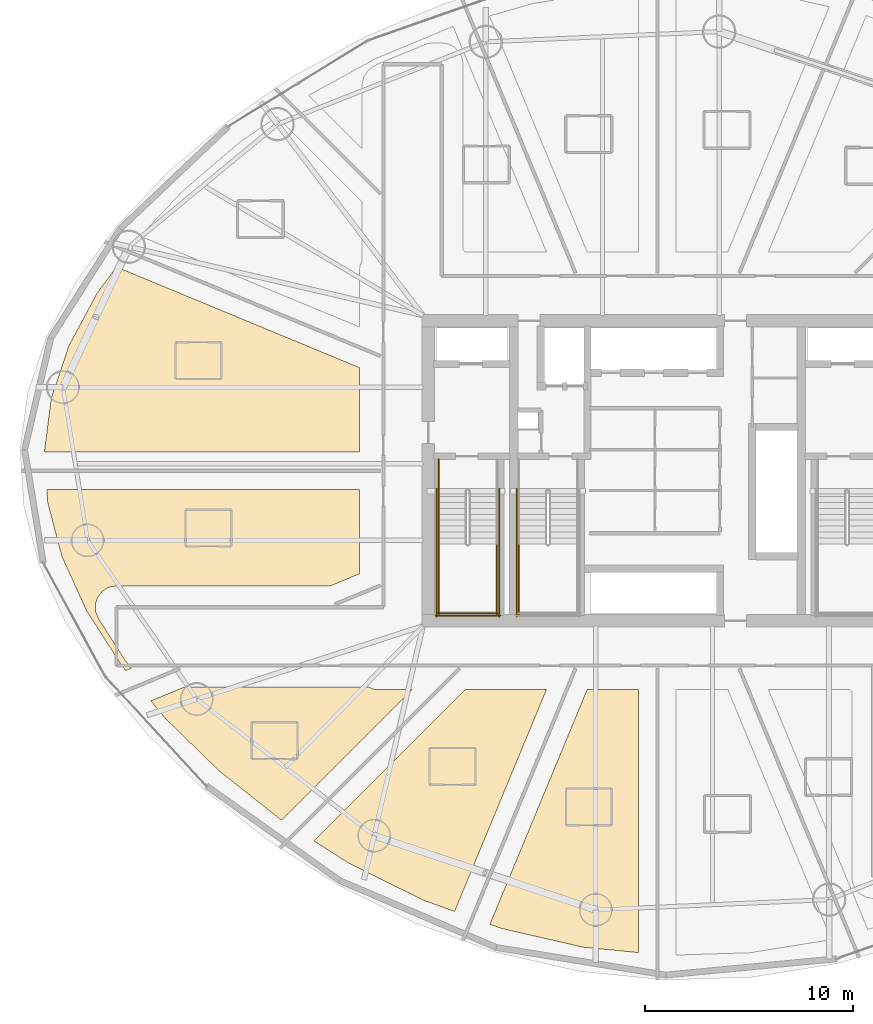
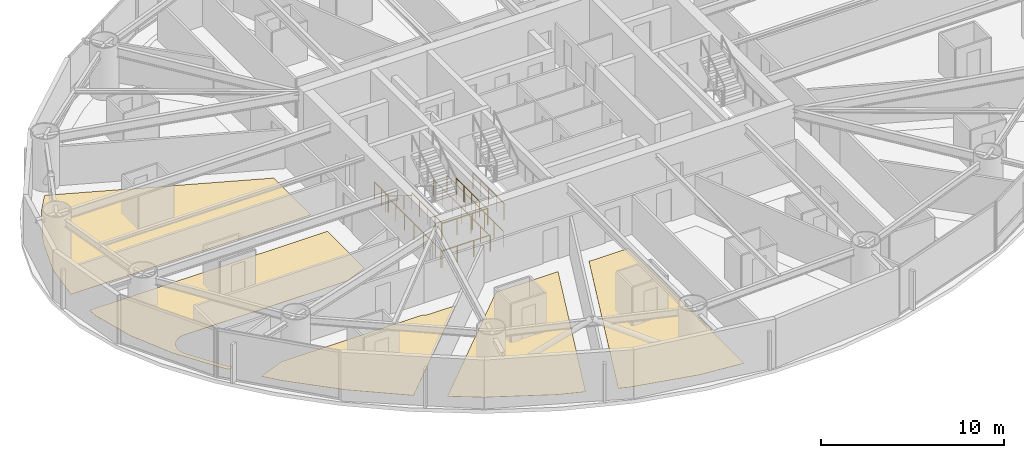
# One storey, part 23 of 27: 10 railings, 5 coverings.
"""IFC4 building model written with IfcOpenShell, lengths in metres."""

import ifcopenshell
import ifcopenshell.guid

model = None  # the IFC model being written
_history = None  # IfcOwnerHistory: only IFC2X3 demands one
_inside = {}  # id of a spatial element -> (the spatial element, [elements in it])
_under = {}  # id of a project, library or spatial element -> (it, [spatial elements below it])
_declared = {}  # id of a project -> (the project, [libraries it declares])
_typed = {}  # id of a type object -> (the type object, [elements of that type])
_made_of = {}  # id of a material, layer set ... -> (it, [elements and type objects made of it])


def new_model(schema):
    """Start an empty IFC model of exactly this schema.

    Asked for "IFC4X3", IfcOpenShell would pick the latest addendum, in which some entities
    have other attributes; the version numbers below select the first issue.
    IFC2X3 requires an IfcOwnerHistory on every rooted entity: one is made here for all.
    """
    global model, _history
    if schema == "IFC4X3":
        model = ifcopenshell.file(schema_version=(4, 3, 0, 0))
    else:
        model = ifcopenshell.file(schema=schema)
    _inside.clear()
    _under.clear()
    _declared.clear()
    _typed.clear()
    _made_of.clear()
    _history = None
    if model.schema == "IFC2X3":
        org = make("IfcOrganization", Name="unknown")
        user = make(
            "IfcPersonAndOrganization",
            ThePerson=make("IfcPerson", FamilyName="unknown"),
            TheOrganization=org,
        )
        app = make(
            "IfcApplication",
            ApplicationDeveloper=org,
            Version="unknown",
            ApplicationFullName="unknown",
            ApplicationIdentifier="unknown",
        )
        _history = make(
            "IfcOwnerHistory",
            OwningUser=user,
            OwningApplication=app,
            ChangeAction="ADDED",
            CreationDate=0,
        )
    return model


def make(cls, **values):
    """One entity of the class cls with the attributes given. An attribute that is None is left unset."""
    return model.create_entity(
        cls, **{name: value for name, value in values.items() if value is not None}
    )


def rooted(cls, **values):
    """An entity with a GlobalId (a new one), such as an element, a storey or a relation."""
    return make(cls, GlobalId=ifcopenshell.guid.new(), OwnerHistory=_history, **values)


def si_unit(unit_type, name, prefix=None):
    """IfcSIUnit, for example si_unit("LENGTHUNIT", "METRE", prefix="MILLI")."""
    return make("IfcSIUnit", UnitType=unit_type, Prefix=prefix, Name=name)


def assignment(units):
    """IfcUnitAssignment: the units of a project."""
    return None if units is None else make("IfcUnitAssignment", Units=units)


def point(xyz):
    """IfcCartesianPoint."""
    return None if xyz is None else make("IfcCartesianPoint", Coordinates=xyz)


def direction(xyz):
    """IfcDirection."""
    return None if xyz is None else make("IfcDirection", DirectionRatios=xyz)


def frame(location, z_axis=None, x_axis=None):
    """IfcAxis2Placement3D, a coordinate frame: its origin and axes. An axis left out is left unset."""
    return make(
        "IfcAxis2Placement3D",
        Location=point(location),
        Axis=direction(z_axis),
        RefDirection=direction(x_axis),
    )


def frame_2d(location, x_axis=None):
    """IfcAxis2Placement2D, a coordinate frame in the plane: its origin and x axis."""
    return make(
        "IfcAxis2Placement2D", Location=point(location), RefDirection=direction(x_axis)
    )


def origin():
    """The frame at (0, 0, 0) with its axes left unset."""
    return frame((0.0, 0.0, 0.0))


def origin_2d():
    """The frame at (0, 0) in the plane with its x axis left unset."""
    return frame_2d((0.0, 0.0))


def place(relative_to, where):
    """IfcLocalPlacement: puts the frame where relative to a parent placement (None: the world)."""
    return make(
        "IfcLocalPlacement", PlacementRelTo=relative_to, RelativePlacement=where
    )


def context(
    kind, dimensions, precision=None, world=None, true_north=None, identifier=None
):
    """IfcGeometricRepresentationContext, for example the 3D "Model" context."""
    return make(
        "IfcGeometricRepresentationContext",
        ContextIdentifier=identifier,
        ContextType=kind,
        CoordinateSpaceDimension=dimensions,
        Precision=precision,
        WorldCoordinateSystem=world,
        TrueNorth=true_north,
    )


def subcontext(parent, identifier, kind, view, scale=None):
    """IfcGeometricRepresentationSubContext, for example "Body" below "Model"."""
    return make(
        "IfcGeometricRepresentationSubContext",
        ContextIdentifier=identifier,
        ContextType=kind,
        ParentContext=parent,
        TargetScale=scale,
        TargetView=view,
    )


def project(units=None, contexts=None):
    """IfcProject with its units and contexts."""
    return rooted(
        "IfcProject",
        Name="project",
        RepresentationContexts=contexts,
        UnitsInContext=assignment(units),
    )


def spatial(cls, under=None, at=None, **own):
    """A site, building, storey or space (cls), placed at a placement, below another one or the project."""
    s = rooted(cls, ObjectPlacement=at, **own)
    if under is not None:
        _under.setdefault(under.id(), (under, []))[1].append(s)
    return s


def polyline(points):
    """IfcPolyline through the points."""
    return make("IfcPolyline", Points=[point(p) for p in points])


def profile(cls, at=None, kind="AREA", **sizes):
    """A parametric profile (cls). Its sizes go by their IFC names, for example OverallWidth=200.0."""
    return make(cls, ProfileType=kind, Position=at, **sizes)


def circle(**sizes):
    """IfcCircleProfileDef."""
    return profile("IfcCircleProfileDef", **sizes)


def outline(outer, holes=None, kind="AREA"):
    """IfcArbitraryClosedProfileDef: a profile drawn as a closed curve; with holes, ...WithVoids."""
    if holes is None:
        return make("IfcArbitraryClosedProfileDef", ProfileType=kind, OuterCurve=outer)
    return make(
        "IfcArbitraryProfileDefWithVoids",
        ProfileType=kind,
        OuterCurve=outer,
        InnerCurves=holes,
    )


def extrude(swept, where, along, depth):
    """IfcExtrudedAreaSolid: the profile swept, set in the frame where, extruded along a direction by depth."""
    return make(
        "IfcExtrudedAreaSolid",
        SweptArea=swept,
        Position=where,
        ExtrudedDirection=direction(along),
        Depth=depth,
    )


def shape(context_of_items, identifier, shape_type, items):
    """IfcShapeRepresentation: the items that make up one representation, for example the "Body"."""
    return make(
        "IfcShapeRepresentation",
        ContextOfItems=context_of_items,
        RepresentationIdentifier=identifier,
        RepresentationType=shape_type,
        Items=items,
    )


def material(Name=None, Category=None):
    """IfcMaterial."""
    return make("IfcMaterial", Name=Name, Category=Category)


def layer(
    of_material, thickness, ventilated=None, Name=None, Category=None, Priority=None
):
    """IfcMaterialLayer: one layer of a wall or slab, of a material (None: an air gap)."""
    return make(
        "IfcMaterialLayer",
        Material=of_material,
        LayerThickness=thickness,
        IsVentilated=ventilated,
        Name=Name,
        Category=Category,
        Priority=Priority,
    )


def layer_set(layers, Name=None):
    """IfcMaterialLayerSet."""
    return make("IfcMaterialLayerSet", MaterialLayers=layers, LayerSetName=Name)


def made_of(thing, what):
    """Note that an element or type object is made of a material, layer set ...; save() writes the relation."""
    if what is not None:
        _made_of.setdefault(what.id(), (what, []))[1].append(thing)
    return thing


def type_object(cls, material=None, **own):
    """A type object (cls), such as IfcWallType, which elements share."""
    return made_of(rooted(cls, **own), material)


def element(
    cls,
    number,
    at=None,
    inside=None,
    cuts=None,
    type_object=None,
    material=None,
    context=None,
    identifier="Body",
    shape_type=None,
    held_by="IfcProductDefinitionShape",
    body=None,
    shapes=None,
    **own,
):
    """One element of the class cls, such as IfcWall. Its Tag is "e" and its number.

    at: its placement. inside: the storey or other place that contains it. cuts: it is an
    opening in that element (IfcRelVoidsElement). A single representation is given by context,
    identifier, shape_type and body (its items); several are given by shapes. held_by: the class
    of the entity that holds the representations. save() writes the other relations.
    """
    e = rooted(cls, Tag="e%d" % number, ObjectPlacement=at, **own)
    if body is not None:
        shapes = [shape(context, identifier, shape_type, body)]
    if shapes is not None:
        e.Representation = make(held_by, Representations=shapes)
    if inside is not None:
        _inside.setdefault(inside.id(), (inside, []))[1].append(e)
    if cuts is not None:
        rooted(
            "IfcRelVoidsElement", RelatingBuildingElement=cuts, RelatedOpeningElement=e
        )
    if type_object is not None:
        _typed.setdefault(type_object.id(), (type_object, []))[1].append(e)
    return made_of(e, material)


def aggregate(whole, parts):
    """IfcRelAggregates: a whole, such as a stair, and the parts it consists of."""
    return rooted("IfcRelAggregates", RelatingObject=whole, RelatedObjects=parts)


def save(model, path):
    """Write the relations noted so far, then the file.

    IfcRelAggregates (storeys below a building ...), IfcRelContainedInSpatialStructure (elements
    in a storey), IfcRelDefinesByType, IfcRelAssociatesMaterial and IfcRelDeclares: one each for
    every whole, place, type object, material and project.
    """
    for whole, parts in _under.values():
        aggregate(whole, parts)
    for where, things in _inside.values():
        rooted(
            "IfcRelContainedInSpatialStructure",
            RelatedElements=things,
            RelatingStructure=where,
        )
    for kind, things in _typed.values():
        rooted("IfcRelDefinesByType", RelatedObjects=things, RelatingType=kind)
    for what, things in _made_of.values():
        rooted("IfcRelAssociatesMaterial", RelatedObjects=things, RelatingMaterial=what)
    for by, libraries in _declared.values():
        rooted("IfcRelDeclares", RelatingContext=by, RelatedDefinitions=libraries)
    model.write(path)


model = new_model("IFC4")

# Units and contexts
model_context = context("Model", 3, precision=1e-05, world=origin(), true_north=direction((0.0, 1.0)))
body_context = subcontext(model_context, "Body", "Model", "MODEL_VIEW")
ifc_project = project(units=[si_unit("LENGTHUNIT", "METRE"), si_unit("AREAUNIT", "SQUARE_METRE"), si_unit("VOLUMEUNIT", "CUBIC_METRE"), si_unit("PLANEANGLEUNIT", "RADIAN"), si_unit("MASSUNIT", "GRAM", prefix="KILO")], contexts=[model_context])

# Site, building, storey
site_placement = place(None, origin())
site = spatial("IfcSite", under=ifc_project, at=site_placement, CompositionType="ELEMENT")
building_placement = place(site_placement, origin())
building = spatial("IfcBuilding", under=site, at=building_placement, Name="Bramvorn Convention Spire", CompositionType="ELEMENT")
storey_placement = place(building_placement, frame((0.0, 0.0, 44.89990234375)))
storey = spatial("IfcBuildingStorey", under=building, at=storey_placement, Name="L08", CompositionType="ELEMENT", Elevation=44.89990234375)

# Coverings
ifc_material_1 = material(Name="Solution-Dyed Wool Broadloom Hospitality Carpet", Category="textile")
ifc_layer = layer(ifc_material_1, 0.014892578125)
ifc_layer_set = layer_set([ifc_layer], Name="Solution-Dyed Wool Broadloom Hospitality Carpet - FLR-CARPET-15")
covering_type = type_object("IfcCoveringType", Name="FLR-CARPET-15", PredefinedType="FLOORING", material=ifc_layer_set)
covering_1_placement = place(storey_placement, origin())
element("IfcCovering", 1, at=covering_1_placement, inside=storey, type_object=covering_type, Name="Hotel Suite 0808 wool broadloom carpet", PredefinedType="FLOORING", context=body_context, shape_type="SweptSolid", body=[
    extrude(outline(polyline([(8.585693359375, 26.89990234375), (23.699951171875, 26.89990234375), (23.699951171875, 30.94921875), (12.043212890625, 35.777587890625), (11.1064453125, 34.505615234375), (9.75830078125, 31.990478515625), (8.916259765625, 29.481201171875), (8.585693359375, 26.89990234375)])), origin(), (0.0, 0.0, 1.0), 0.01513671875),
])
covering_2_placement = place(storey_placement, origin())
element("IfcCovering", 2, at=covering_2_placement, inside=storey, type_object=covering_type, Name="Hotel Suite 0809 wool broadloom carpet", PredefinedType="FLOORING", context=body_context, shape_type="SweptSolid", body=[
    extrude(outline(polyline([(12.273193359375, 16.67919921875), (12.49560546875, 16.409912109375), (12.766357421875, 16.52197265625), (12.466552734375, 16.89697265625), (11.186279296875, 18.90087890625), (11.051025390625, 19.22509765625), (11.0380859375, 19.607421875), (11.131103515625, 19.901123046875), (11.36181640625, 20.20654296875), (11.618896484375, 20.376220703125), (11.805908203125, 20.44140625), (12.0458984375, 20.469970703125), (22.297607421875, 20.469970703125), (23.699951171875, 21.05078125), (23.699951171875, 25.10009765625), (8.706298828125, 25.10009765625), (8.74951171875, 24.453857421875), (9.42333984375, 21.894287109375), (10.601806640625, 19.29541015625), (12.273193359375, 16.67919921875)])), origin(), (0.0, 0.0, 1.0), 0.01513671875),
])
covering_3_placement = place(storey_placement, origin())
element("IfcCovering", 3, at=covering_3_placement, inside=storey, type_object=covering_type, Name="Hotel Suite 0810 wool broadloom carpet", PredefinedType="FLOORING", context=body_context, shape_type="SweptSolid", body=[
    extrude(outline(polyline([(19.9599609375, 9.23291015625), (26.227294921875, 15.5), (24.51171875, 15.50439453125), (24.338623046875, 15.538818359375), (24.13623046875, 15.6298828125), (15.31640625, 15.6298828125), (13.694580078125, 14.958251953125), (14.412109375, 14.089599609375), (16.980712890625, 11.58837890625), (19.9599609375, 9.23291015625)])), origin(), (0.0, 0.0, 1.0), 0.01513671875),
])
covering_4_placement = place(storey_placement, origin())
element("IfcCovering", 4, at=covering_4_placement, inside=storey, type_object=covering_type, Name="Hotel Suite 0811 wool broadloom carpet", PredefinedType="FLOORING", context=body_context, shape_type="SweptSolid", body=[
    extrude(outline(polyline([(26.76708984375, 5.394287109375), (28.266357421875, 4.852783203125), (32.676513671875, 15.5), (28.772705078125, 15.5), (21.514404296875, 8.24169921875), (23.214111328125, 7.157958984375), (26.76708984375, 5.394287109375)])), origin(), (0.0, 0.0, 1.0), 0.01513671875),
])
covering_5_placement = place(storey_placement, origin())
element("IfcCovering", 5, at=covering_5_placement, inside=storey, type_object=covering_type, Name="Hotel Suite 0812 wool broadloom carpet", PredefinedType="FLOORING", context=body_context, shape_type="SweptSolid", body=[
    extrude(outline(polyline([(34.438720703125, 3.139404296875), (37.10009765625, 2.878173828125), (37.10009765625, 15.5), (34.625, 15.5), (29.9609375, 4.240478515625), (30.530029296875, 4.034912109375), (34.438720703125, 3.139404296875)])), origin(), (0.0, 0.0, 1.0), 0.01513671875),
])

# Railings
ifc_material_2 = material(Name="Painted Steel Balustrade & Guardrail", Category="steel")
railing_type_1 = type_object("IfcRailingType", Name="RL-STAIR-GUARD-1100", PredefinedType="GUARDRAIL", material=ifc_material_2)
for number, where, name in (
    (6, (27.5, 22.485107421875, 1.75), "L08 ST1 stair guard 3"),
    (7, (30.300048828125, 22.485107421875, 1.75), "L08 ST1 stair guard 4"),
):
    element("IfcRailing", number, at=place(storey_placement, frame(where)), inside=storey, type_object=railing_type_1, Name=name, PredefinedType="GUARDRAIL", context=body_context, shape_type="SweptSolid", body=[
        extrude(circle(Radius=0.02392578125, at=origin_2d()), frame((0.0, 0.0, 1.076171875), z_axis=(0.0, -1.0, 0.0), x_axis=(1.0, 0.0, 0.0)), (0.0, 0.0, 1.0), 3.385009765625),
        extrude(circle(Radius=0.02099609375, at=origin_2d()), origin(), (0.0, 0.0, 1.0), 1.052001953125),
        extrude(circle(Radius=0.02099609375, at=origin_2d()), frame((0.0, -0.84619140625, 0.0)), (0.0, 0.0, 1.0), 1.052001953125),
        extrude(circle(Radius=0.02099609375, at=origin_2d()), frame((0.0, -1.6923828125, 0.0)), (0.0, 0.0, 1.0), 1.052001953125),
        extrude(circle(Radius=0.02099609375, at=origin_2d()), frame((0.0, -2.538818359375, 0.0)), (0.0, 0.0, 1.0), 1.052001953125),
        extrude(circle(Radius=0.02099609375, at=origin_2d()), frame((0.0, -3.385009765625, 0.0)), (0.0, 0.0, 1.0), 1.052001953125),
    ])
railing_1_placement = place(storey_placement, frame((27.449951171875, 19.14990234375, 1.75)))
element("IfcRailing", 8, at=railing_1_placement, inside=storey, type_object=railing_type_1, Name="L08 ST1 stair guard 5", PredefinedType="GUARDRAIL", context=body_context, shape_type="SweptSolid", body=[
    extrude(circle(Radius=0.02392578125, at=origin_2d()), frame((0.0, 0.0, 1.076171875), z_axis=(1.0, 0.0, 0.0), x_axis=(0.0, 1.0, 0.0)), (0.0, 0.0, 1.0), 2.900146484375),
    extrude(circle(Radius=0.02099609375, at=origin_2d()), origin(), (0.0, 0.0, 1.0), 1.052001953125),
    extrude(circle(Radius=0.02099609375, at=origin_2d()), frame((0.966796875, 0.0, 0.0)), (0.0, 0.0, 1.0), 1.052001953125),
    extrude(circle(Radius=0.02099609375, at=origin_2d()), frame((1.933349609375, 0.0, 0.0)), (0.0, 0.0, 1.0), 1.052001953125),
    extrude(circle(Radius=0.02099609375, at=origin_2d()), frame((2.900146484375, 0.0, 0.0)), (0.0, 0.0, 1.0), 1.052001953125),
])
railing_2_placement = place(storey_placement, frame((27.5, 26.550048828125, 0.0)))
element("IfcRailing", 9, at=railing_2_placement, inside=storey, type_object=railing_type_1, Name="L08 ST1 stair guard 8", PredefinedType="GUARDRAIL", context=body_context, shape_type="SweptSolid", body=[
    extrude(circle(Radius=0.02392578125, at=origin_2d()), frame((0.0, 0.0, 1.076171875), z_axis=(0.0, -1.0, 0.0), x_axis=(1.0, 0.0, 0.0)), (0.0, 0.0, 1.0), 1.5),
    extrude(circle(Radius=0.02099609375, at=origin_2d()), origin(), (0.0, 0.0, 1.0), 1.052001953125),
    extrude(circle(Radius=0.02099609375, at=origin_2d()), frame((0.0, -0.75, 0.0)), (0.0, 0.0, 1.0), 1.052001953125),
    extrude(circle(Radius=0.02099609375, at=origin_2d()), frame((0.0, -1.5, 0.0)), (0.0, 0.0, 1.0), 1.052001953125),
])
for number, where, name in (
    (10, (27.39990234375, 25.14990234375, 0.0), "L08 ST1 stair guard 10"),
    (11, (30.39990234375, 25.14990234375, 0.0), "L08 ST1 stair guard 11"),
):
    element("IfcRailing", number, at=place(storey_placement, frame(where)), inside=storey, type_object=railing_type_1, Name=name, PredefinedType="GUARDRAIL", context=body_context, shape_type="SweptSolid", body=[
        extrude(circle(Radius=0.02392578125, at=origin_2d()), frame((0.0, 0.0, 1.076171875), z_axis=(0.0, -1.0, 0.0), x_axis=(1.0, 0.0, 0.0)), (0.0, 0.0, 1.0), 6.14990234375),
        extrude(circle(Radius=0.02099609375, at=origin_2d()), origin(), (0.0, 0.0, 1.0), 1.052001953125),
        extrude(circle(Radius=0.02099609375, at=origin_2d()), frame((0.0, -1.02490234375, 0.0)), (0.0, 0.0, 1.0), 1.052001953125),
        extrude(circle(Radius=0.02099609375, at=origin_2d()), frame((0.0, -2.050048828125, 0.0)), (0.0, 0.0, 1.0), 1.052001953125),
        extrude(circle(Radius=0.02099609375, at=origin_2d()), frame((0.0, -3.074951171875, 0.0)), (0.0, 0.0, 1.0), 1.052001953125),
        extrude(circle(Radius=0.02099609375, at=origin_2d()), frame((0.0, -4.099853515625, 0.0)), (0.0, 0.0, 1.0), 1.052001953125),
        extrude(circle(Radius=0.02099609375, at=origin_2d()), frame((0.0, -5.125, 0.0)), (0.0, 0.0, 1.0), 1.052001953125),
        extrude(circle(Radius=0.02099609375, at=origin_2d()), frame((0.0, -6.14990234375, 0.0)), (0.0, 0.0, 1.0), 1.052001953125),
    ])
railing_3_placement = place(storey_placement, frame((27.35009765625, 19.050048828125, 0.0)))
element("IfcRailing", 12, at=railing_3_placement, inside=storey, type_object=railing_type_1, Name="L08 ST1 stair guard 12", PredefinedType="GUARDRAIL", context=body_context, shape_type="SweptSolid", body=[
    extrude(circle(Radius=0.02392578125, at=origin_2d()), frame((0.0, 0.0, 1.076171875), z_axis=(1.0, 0.0, 0.0), x_axis=(0.0, 1.0, 0.0)), (0.0, 0.0, 1.0), 3.099853515625),
    extrude(circle(Radius=0.02099609375, at=origin_2d()), origin(), (0.0, 0.0, 1.0), 1.052001953125),
    extrude(circle(Radius=0.02099609375, at=origin_2d()), frame((1.033203125, 0.0, 0.0)), (0.0, 0.0, 1.0), 1.052001953125),
    extrude(circle(Radius=0.02099609375, at=origin_2d()), frame((2.066650390625, 0.0, 0.0)), (0.0, 0.0, 1.0), 1.052001953125),
    extrude(circle(Radius=0.02099609375, at=origin_2d()), frame((3.099853515625, 0.0, 0.0)), (0.0, 0.0, 1.0), 1.052001953125),
])
railing_4_placement = place(storey_placement, frame((31.35009765625, 22.485107421875, 1.75)))
element("IfcRailing", 13, at=railing_4_placement, inside=storey, type_object=railing_type_1, Name="L08 ST3 stair guard 3", PredefinedType="GUARDRAIL", context=body_context, shape_type="SweptSolid", body=[
    extrude(circle(Radius=0.02392578125, at=origin_2d()), frame((0.0, 0.0, 1.076171875), z_axis=(0.0, -1.0, 0.0), x_axis=(1.0, 0.0, 0.0)), (0.0, 0.0, 1.0), 3.385009765625),
    extrude(circle(Radius=0.02099609375, at=origin_2d()), origin(), (0.0, 0.0, 1.0), 1.052001953125),
    extrude(circle(Radius=0.02099609375, at=origin_2d()), frame((0.0, -0.84619140625, 0.0)), (0.0, 0.0, 1.0), 1.052001953125),
    extrude(circle(Radius=0.02099609375, at=origin_2d()), frame((0.0, -1.6923828125, 0.0)), (0.0, 0.0, 1.0), 1.052001953125),
    extrude(circle(Radius=0.02099609375, at=origin_2d()), frame((0.0, -2.538818359375, 0.0)), (0.0, 0.0, 1.0), 1.052001953125),
    extrude(circle(Radius=0.02099609375, at=origin_2d()), frame((0.0, -3.385009765625, 0.0)), (0.0, 0.0, 1.0), 1.052001953125),
])
railing_5_placement = place(storey_placement, frame((31.25, 25.14990234375, 0.0)))
element("IfcRailing", 14, at=railing_5_placement, inside=storey, type_object=railing_type_1, Name="L08 ST3 stair guard 10", PredefinedType="GUARDRAIL", context=body_context, shape_type="SweptSolid", body=[
    extrude(circle(Radius=0.02392578125, at=origin_2d()), frame((0.0, 0.0, 1.076171875), z_axis=(0.0, -1.0, 0.0), x_axis=(1.0, 0.0, 0.0)), (0.0, 0.0, 1.0), 6.14990234375),
    extrude(circle(Radius=0.02099609375, at=origin_2d()), origin(), (0.0, 0.0, 1.0), 1.052001953125),
    extrude(circle(Radius=0.02099609375, at=origin_2d()), frame((0.0, -1.02490234375, 0.0)), (0.0, 0.0, 1.0), 1.052001953125),
    extrude(circle(Radius=0.02099609375, at=origin_2d()), frame((0.0, -2.050048828125, 0.0)), (0.0, 0.0, 1.0), 1.052001953125),
    extrude(circle(Radius=0.02099609375, at=origin_2d()), frame((0.0, -3.074951171875, 0.0)), (0.0, 0.0, 1.0), 1.052001953125),
    extrude(circle(Radius=0.02099609375, at=origin_2d()), frame((0.0, -4.099853515625, 0.0)), (0.0, 0.0, 1.0), 1.052001953125),
    extrude(circle(Radius=0.02099609375, at=origin_2d()), frame((0.0, -5.125, 0.0)), (0.0, 0.0, 1.0), 1.052001953125),
    extrude(circle(Radius=0.02099609375, at=origin_2d()), frame((0.0, -6.14990234375, 0.0)), (0.0, 0.0, 1.0), 1.052001953125),
])
ifc_material_3 = material(Name="Brushed Bronze Tubular Handrail", Category="aluminium")
railing_type_2 = type_object("IfcRailingType", Name="RL-STAIR-HR-920", PredefinedType="HANDRAIL", material=ifc_material_3)
railing_6_placement = place(storey_placement, frame((27.5, 25.050048828125, 0.175048828125)))
element("IfcRailing", 15, at=railing_6_placement, inside=storey, type_object=railing_type_2, Name="L08 ST1 stair handrail 1", PredefinedType="HANDRAIL", context=body_context, shape_type="SweptSolid", body=[
    extrude(circle(Radius=0.02392578125, at=origin_2d()), frame((0.0, 0.0, 0.89599609375), z_axis=(0.0, -0.852173129349, 0.523259933127), x_axis=(1.0, 0.0, 0.0)), (0.0, 0.0, 1.0), 3.009765625),
    extrude(circle(Radius=0.02099609375, at=origin_2d()), origin(), (0.0, 0.0, 1.0), 0.871826171875),
    extrude(circle(Radius=0.02099609375, at=origin_2d()), frame((0.0, -0.85498046875, 0.52490234375)), (0.0, 0.0, 1.0), 0.871826171875),
    extrude(circle(Radius=0.02099609375, at=origin_2d()), frame((0.0, -1.7099609375, 1.050048828125)), (0.0, 0.0, 1.0), 0.871826171875),
    extrude(circle(Radius=0.02099609375, at=origin_2d()), frame((0.0, -2.56494140625, 1.574951171875)), (0.0, 0.0, 1.0), 0.871826171875),
])

save(model, "model.ifc")
